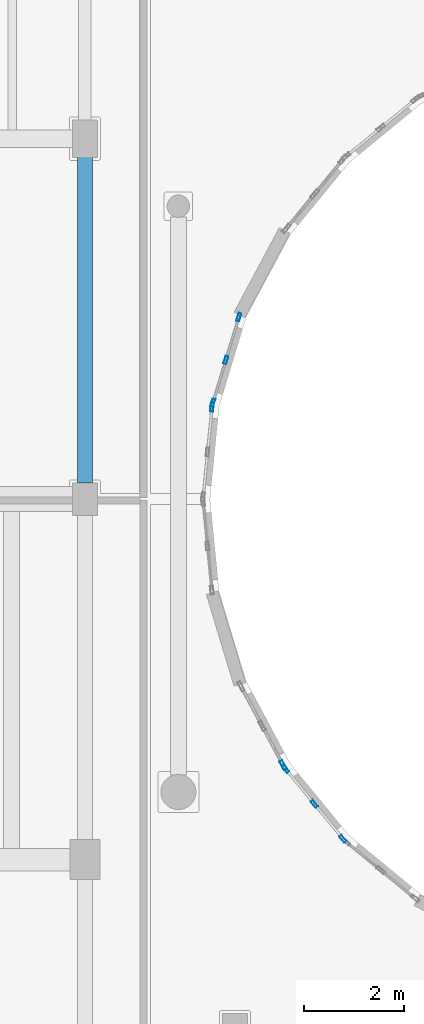
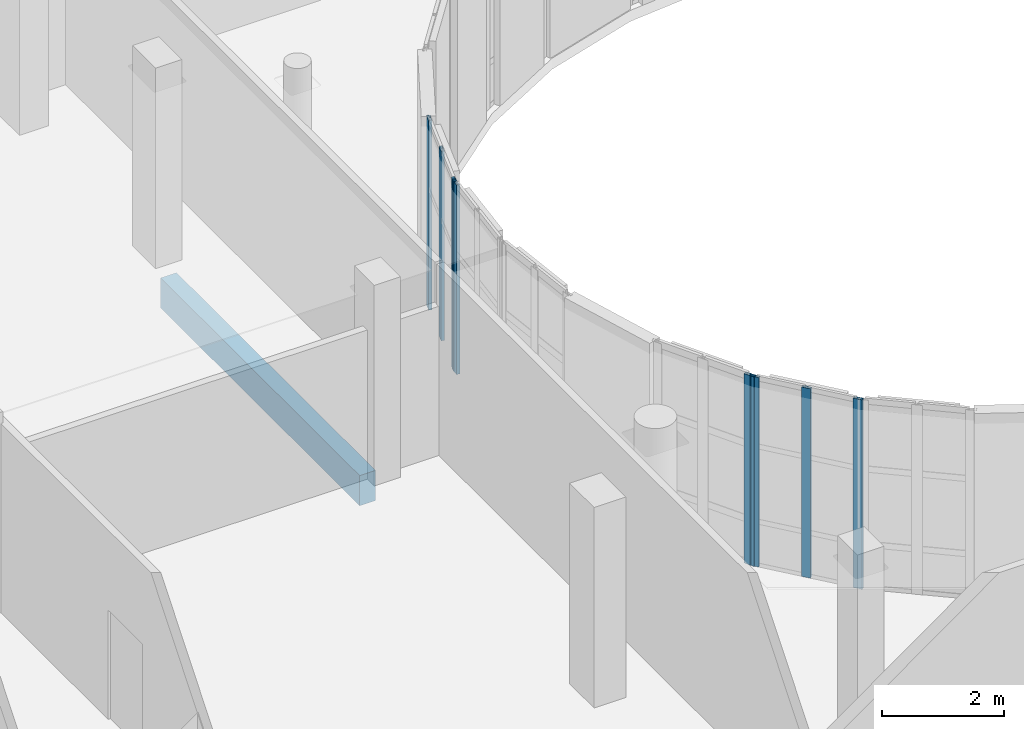
# One storey, part 33 of 92: 8 members, 1 beam, 4 elements without a shape of their own.
"""IFC4 building model written with IfcOpenShell, lengths in metres."""

from ifc_helpers import new_model, si_unit, direction, frame, origin, origin_2d, place, context, subcontext, project, spatial, rectangle, hollow_rectangle, extrude, material, layer, layer_set, material_profile, profile_set, type_object, element, aggregate, save


model = new_model("IFC4")

# Units and contexts
model_context = context("Model", 3, precision=1e-05, world=origin(), true_north=direction((0.0, 1.0)))
body_context = subcontext(model_context, "Body", "Model", "MODEL_VIEW")
ifc_project = project(units=[si_unit("LENGTHUNIT", "METRE"), si_unit("AREAUNIT", "SQUARE_METRE"), si_unit("VOLUMEUNIT", "CUBIC_METRE"), si_unit("PLANEANGLEUNIT", "RADIAN"), si_unit("MASSUNIT", "GRAM", prefix="KILO")], contexts=[model_context])

# Site, building, storey
site_placement = place(None, origin())
site = spatial("IfcSite", under=ifc_project, at=site_placement, CompositionType="ELEMENT")
building_placement = place(site_placement, origin())
building = spatial("IfcBuilding", under=site, at=building_placement, Name="Kelanivale Promenade Academy", CompositionType="ELEMENT")
storey_placement = place(building_placement, frame((0.0, 0.0, 8.199951171875)))
storey = spatial("IfcBuildingStorey", under=building, at=storey_placement, Name="L02", CompositionType="ELEMENT", Elevation=8.199951171875)

# Curtain wall, members
ifc_material_1 = material(Name="Bronze anodised aluminium and solar-control low-E glass", Category="aluminium")
ifc_layer_1 = layer(ifc_material_1, 0.179931640625)
ifc_layer_set_1 = layer_set([ifc_layer_1], Name="Bronze anodised aluminium and solar-control low-E glass")
curtain_wall_type_1 = type_object("IfcCurtainWallType", Name="CW-17 Curtain Wall 1950mm Module", PredefinedType="USERDEFINED", material=ifc_layer_set_1)
curtain_wall_1_placement = place(storey_placement, origin())
curtain_wall_1 = element("IfcCurtainWall", 1, at=curtain_wall_1_placement, inside=storey, type_object=curtain_wall_type_1, Name="L02 courtyard curtain wall CW-17", ObjectType="COURTYARD SCREEN GLAZING", PredefinedType="USERDEFINED")
ifc_material_2 = material(Name="Bronze anodised aluminium EN AW-6063 T6", Category="aluminium")
ifc_material_profile_1 = material_profile(ifc_material_2, hollow_rectangle(XDim=0.06005859375, YDim=0.159912109375, WallThickness=0.00390625, at=origin_2d()), Name="ALU 60x160x4.0")
ifc_profile_set_1 = profile_set([ifc_material_profile_1], Name="Bronze anodised aluminium EN AW-6063 T6")
member_type_1 = type_object("IfcMemberType", Name="CWM-01 ALU 60x160x4.0", PredefinedType="MULLION", material=ifc_profile_set_1)
member_1_placement = place(storey_placement, frame((89.876220703125, 60.433349609375, 0.0), z_axis=(0.0, 0.0, 1.0), x_axis=(0.956987977524, -0.290127576893, 0.0)))
member_1 = element("IfcMember", 2, at=member_1_placement, type_object=member_type_1, Name="CW-17 mullion 1", PredefinedType="MULLION", context=body_context, shape_type="SweptSolid", body=[
    extrude(hollow_rectangle(XDim=0.06005859375, YDim=0.159912109375, WallThickness=0.00390625, at=origin_2d()), origin(), (0.0, 0.0, 1.0), 3.780029296875),
])
member_2_placement = place(storey_placement, frame((89.616943359375, 59.577880859375, 0.0), z_axis=(0.0, 0.0, 1.0), x_axis=(0.956987977524, -0.290127576893, 0.0)))
member_2 = element("IfcMember", 3, at=member_2_placement, type_object=member_type_1, Name="CW-17 mullion 2", PredefinedType="MULLION", context=body_context, shape_type="SweptSolid", body=[
    extrude(hollow_rectangle(XDim=0.06005859375, YDim=0.159912109375, WallThickness=0.00390625, at=origin_2d()), origin(), (0.0, 0.0, 1.0), 3.780029296875),
])
member_3_placement = place(storey_placement, frame((89.357666015625, 58.72265625, 0.0), z_axis=(0.0, 0.0, 1.0), x_axis=(0.956987977524, -0.290127576893, 0.0)))
member_3 = element("IfcMember", 4, at=member_3_placement, type_object=member_type_1, Name="CW-17 mullion 3", PredefinedType="MULLION", context=body_context, shape_type="SweptSolid", body=[
    extrude(hollow_rectangle(XDim=0.06005859375, YDim=0.159912109375, WallThickness=0.00390625, at=origin_2d()), origin(), (0.0, 0.0, 1.0), 3.780029296875),
])
aggregate(curtain_wall_1, [member_1, member_2, member_3])

ifc_layer_2 = layer(ifc_material_1, 0.159912109375)
ifc_layer_set_2 = layer_set([ifc_layer_2], Name="Bronze anodised aluminium and solar-control low-E glass")
curtain_wall_type_2 = type_object("IfcCurtainWallType", Name="CW-21 Curtain Wall 1650mm Module", PredefinedType="USERDEFINED", material=ifc_layer_set_2)
curtain_wall_2_placement = place(storey_placement, origin())
curtain_wall_2 = element("IfcCurtainWall", 5, at=curtain_wall_2_placement, inside=storey, type_object=curtain_wall_type_2, Name="L02 courtyard curtain wall CW-21", ObjectType="COURTYARD SCREEN GLAZING", PredefinedType="USERDEFINED")
member_4_placement = place(storey_placement, frame((90.81201171875, 51.409912109375, 0.0), z_axis=(0.0, 0.0, 1.0), x_axis=(0.773215132597, 0.634143799719, 0.0)))
member_4 = element("IfcMember", 6, at=member_4_placement, type_object=member_type_1, Name="CW-21 mullion 1", PredefinedType="MULLION", context=body_context, shape_type="SweptSolid", body=[
    extrude(hollow_rectangle(XDim=0.06005859375, YDim=0.159912109375, WallThickness=0.00390625, at=origin_2d()), origin(), (0.0, 0.0, 1.0), 3.780029296875),
])
member_5_placement = place(storey_placement, frame((91.383544921875, 50.712890625, 0.0), z_axis=(0.0, 0.0, 1.0), x_axis=(0.773215132597, 0.634143799719, 0.0)))
member_5 = element("IfcMember", 7, at=member_5_placement, type_object=member_type_1, Name="CW-21 mullion 2", PredefinedType="MULLION", context=body_context, shape_type="SweptSolid", body=[
    extrude(hollow_rectangle(XDim=0.06005859375, YDim=0.159912109375, WallThickness=0.00390625, at=origin_2d()), origin(), (0.0, 0.0, 1.0), 3.780029296875),
])
member_6_placement = place(storey_placement, frame((91.955078125, 50.01611328125, 0.0), z_axis=(0.0, 0.0, 1.0), x_axis=(0.773215132597, 0.634143799719, 0.0)))
member_6 = element("IfcMember", 8, at=member_6_placement, type_object=member_type_1, Name="CW-21 mullion 3", PredefinedType="MULLION", context=body_context, shape_type="SweptSolid", body=[
    extrude(hollow_rectangle(XDim=0.06005859375, YDim=0.159912109375, WallThickness=0.00390625, at=origin_2d()), origin(), (0.0, 0.0, 1.0), 3.780029296875),
])
aggregate(curtain_wall_2, [member_4, member_5, member_6])

# Curtain wall, member
ifc_layer_3 = layer(ifc_material_1, 0.159912109375)
ifc_layer_set_3 = layer_set([ifc_layer_3], Name="Bronze anodised aluminium and solar-control low-E glass")
curtain_wall_type_3 = type_object("IfcCurtainWallType", Name="CW-18 Curtain Wall 1200mm Module", PredefinedType="USERDEFINED", material=ifc_layer_set_3)
curtain_wall_3_placement = place(storey_placement, origin())
curtain_wall_3 = element("IfcCurtainWall", 9, at=curtain_wall_3_placement, inside=storey, type_object=curtain_wall_type_3, Name="L02 courtyard curtain wall CW-18", ObjectType="COURTYARD SCREEN GLAZING", PredefinedType="USERDEFINED")
ifc_material_profile_2 = material_profile(ifc_material_2, hollow_rectangle(XDim=0.06005859375, YDim=0.179931640625, WallThickness=0.00390625, at=origin_2d()), Name="ALU 60x180x4.0")
ifc_profile_set_2 = profile_set([ifc_material_profile_2], Name="Bronze anodised aluminium EN AW-6063 T6")
member_type_2 = type_object("IfcMemberType", Name="CWM-02 ALU 60x180x4.0", PredefinedType="MULLION", material=ifc_profile_set_2)
member_7_placement = place(storey_placement, frame((89.341064453125, 58.63720703125, 0.0), z_axis=(0.0, 0.0, 1.0), x_axis=(0.995158737767, -0.098280652454, 0.0)))
member_7 = element("IfcMember", 10, at=member_7_placement, type_object=member_type_2, Name="CW-18 mullion 1", PredefinedType="MULLION", context=body_context, shape_type="SweptSolid", body=[
    extrude(hollow_rectangle(XDim=0.06005859375, YDim=0.179931640625, WallThickness=0.00390625, at=origin_2d()), origin(), (0.0, 0.0, 1.0), 3.780029296875),
])
aggregate(curtain_wall_3, [member_7])

ifc_layer_4 = layer(ifc_material_1, 0.179931640625)
ifc_layer_set_4 = layer_set([ifc_layer_4], Name="Bronze anodised aluminium and solar-control low-E glass")
curtain_wall_type_4 = type_object("IfcCurtainWallType", Name="CW-20 Curtain Wall 1500mm Module", PredefinedType="USERDEFINED", material=ifc_layer_set_4)
curtain_wall_4_placement = place(storey_placement, origin())
curtain_wall_4 = element("IfcCurtainWall", 11, at=curtain_wall_4_placement, inside=storey, type_object=curtain_wall_type_4, Name="L02 courtyard curtain wall CW-20", ObjectType="COURTYARD SCREEN GLAZING", PredefinedType="USERDEFINED")
ifc_material_profile_3 = material_profile(ifc_material_2, hollow_rectangle(XDim=0.06494140625, YDim=0.199951171875, WallThickness=0.00439453125, at=origin_2d()), Name="ALU 65x200x4.5")
ifc_profile_set_3 = profile_set([ifc_material_profile_3], Name="Bronze anodised aluminium EN AW-6063 T6")
member_type_3 = type_object("IfcMemberType", Name="CWM-04 ALU 65x200x4.5", PredefinedType="MULLION", material=ifc_profile_set_3)
member_8_placement = place(storey_placement, frame((90.7626953125, 51.484619140625, 0.0), z_axis=(0.0, 0.0, 1.0), x_axis=(0.881978204448, 0.471290193914, 0.0)))
member_8 = element("IfcMember", 12, at=member_8_placement, type_object=member_type_3, Name="CW-20 mullion 3", PredefinedType="MULLION", context=body_context, shape_type="SweptSolid", body=[
    extrude(hollow_rectangle(XDim=0.06494140625, YDim=0.199951171875, WallThickness=0.00439453125, at=origin_2d()), origin(), (0.0, 0.0, 1.0), 3.780029296875),
])
aggregate(curtain_wall_4, [member_8])

# Beam
ifc_material_3 = material(Name="Concrete C35/45", Category="concrete")
ifc_material_profile_4 = material_profile(ifc_material_3, rectangle(XDim=0.300048828125, YDim=0.60009765625, at=origin_2d()), Name="RC-BM 300x600")
ifc_profile_set_4 = profile_set([ifc_material_profile_4], Name="Concrete C35/45")
beam_type = type_object("IfcBeamType", Name="JS-03 RC-BM 300x600", PredefinedType="JOIST", material=ifc_profile_set_4)
beam_placement = place(storey_placement, frame((86.800048828125, 57.1201171875, -0.52001953125), z_axis=(0.0, 1.0, 0.0), x_axis=(-1.0, 0.0, 0.0)))
element("IfcBeam", 13, at=beam_placement, inside=storey, type_object=beam_type, Name="L02 beam JS-03", PredefinedType="JOIST", context=body_context, shape_type="SweptSolid", body=[
    extrude(rectangle(XDim=0.300048828125, YDim=0.60009765625, at=origin_2d()), origin(), (0.0, 0.0, 1.0), 6.509765625),
])

save(model, "model.ifc")
